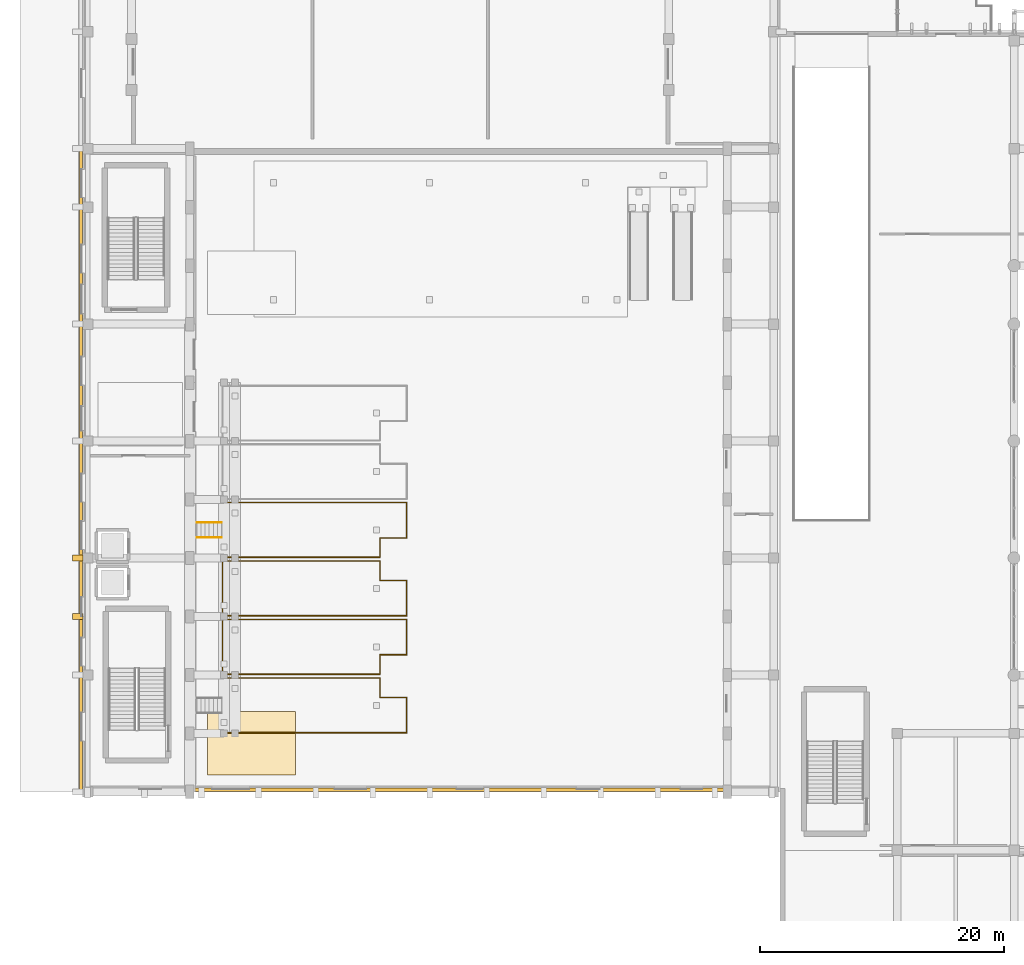
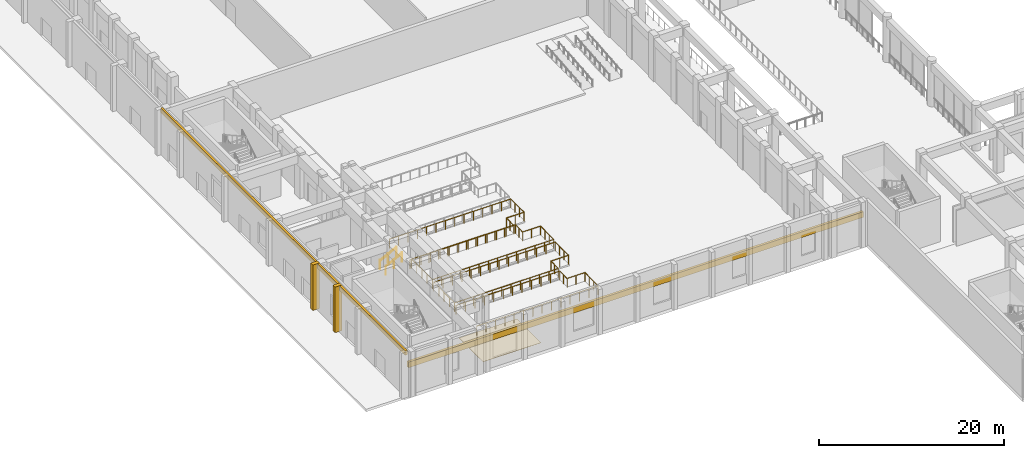
# One storey, part 61 of 87: 8 railings, 5 coverings.
"""IFC4 building model written with IfcOpenShell, lengths in metres."""

from ifc_helpers import new_model, si_unit, direction, frame, origin, origin_2d, place, context, subcontext, project, spatial, polyline, rectangle, circle, outline, extrude, material, layer, layer_set, type_object, element, save


model = new_model("IFC4")

# Units and contexts
model_context = context("Model", 3, precision=1e-05, world=origin(), true_north=direction((0.0, 1.0)))
body_context = subcontext(model_context, "Body", "Model", "MODEL_VIEW")
ifc_project = project(units=[si_unit("LENGTHUNIT", "METRE"), si_unit("AREAUNIT", "SQUARE_METRE"), si_unit("VOLUMEUNIT", "CUBIC_METRE"), si_unit("PLANEANGLEUNIT", "RADIAN"), si_unit("MASSUNIT", "GRAM", prefix="KILO")], contexts=[model_context])

# Site, building, storey
site_placement = place(None, origin())
site = spatial("IfcSite", under=ifc_project, at=site_placement, CompositionType="ELEMENT")
building_placement = place(site_placement, origin())
building = spatial("IfcBuilding", under=site, at=building_placement, Name="Nakhvara Creek Congress Hotel", CompositionType="ELEMENT")
storey_placement = place(building_placement, origin())
storey = spatial("IfcBuildingStorey", under=building, at=storey_placement, Name="L00", CompositionType="ELEMENT", Elevation=0.0)

# Coverings
ifc_material_1 = material(Name="Honed pale Omani limestone architectural cladding", Category="masonry")
ifc_layer_1 = layer(ifc_material_1, 0.239990234375)
ifc_layer_set_1 = layer_set([ifc_layer_1], Name="Honed pale Omani limestone architectural cladding")
covering_type_1 = type_object("IfcCoveringType", Name="COV-ARCH-240", PredefinedType="CLADDING", material=ifc_layer_set_1)
covering_1_placement = place(storey_placement, frame((0.2099609375, 60.0, 5.419921875), z_axis=(0.0, 0.0, 1.0), x_axis=(0.0, 1.0, 0.0)))
element("IfcCovering", 1, at=covering_1_placement, inside=storey, type_object=covering_type_1, Name="Pale Limestone Spandrel Band CF04-0032", PredefinedType="CLADDING", context=body_context, shape_type="SweptSolid", body=[
    extrude(rectangle(XDim=52.800048828125, YDim=0.260009765625, at=origin_2d()), origin(), (0.0, 0.0, 1.0), 0.580078125),
])
covering_2_placement = place(storey_placement, frame((28.85009765625, 33.77001953125, 3.60009765625), z_axis=(0.0, 0.0, 1.0), x_axis=(1.0, 0.0, 0.0)))
element("IfcCovering", 2, at=covering_2_placement, inside=storey, type_object=covering_type_1, Name="Pale Limestone Spandrel Band CF04-0034", PredefinedType="CLADDING", context=body_context, shape_type="SweptSolid", body=[
    extrude(rectangle(XDim=56.699951171875, YDim=0.300048828125, at=origin_2d()), origin(), (0.0, 0.0, 1.0), 0.75),
])
ifc_layer_2 = layer(ifc_material_1, 0.449951171875)
ifc_layer_set_2 = layer_set([ifc_layer_2], Name="Honed pale Omani limestone architectural cladding")
covering_type_2 = type_object("IfcCoveringType", Name="COV-BUTT-850", PredefinedType="CLADDING", material=ifc_layer_set_2)
for number, where, z_axis, x_axis, name in (
    (3, (-0.06494140625, 48.0, 0.0), (0.0, 0.0, 1.0), (0.0, 1.0, 0.0), "Gothic Limestone Buttress Pier CF03-0400"),
    (4, (-0.06494140625, 52.800048828125, 0.0), (0.0, 0.0, 1.0), (0.0, 1.0, 0.0), "Gothic Limestone Buttress Pier CF03-0401"),
):
    element("IfcCovering", number, at=place(storey_placement, frame(where, z_axis=z_axis, x_axis=x_axis)), inside=storey, type_object=covering_type_2, Name=name, PredefinedType="CLADDING", context=body_context, shape_type="SweptSolid", body=[
        extrude(rectangle(XDim=0.47998046875, YDim=0.85009765625, at=origin_2d()), origin(), (0.0, 0.0, 1.0), 6.0),
    ])
ifc_material_2 = material(Name="Honed limestone and terrazzo acoustic floor finish", Category="masonry")
ifc_layer_3 = layer(ifc_material_2, 0.044921875)
ifc_layer_set_3 = layer_set([ifc_layer_3], Name="Honed limestone and terrazzo acoustic floor finish")
covering_type_3 = type_object("IfcCoveringType", Name="COV-FLR-TER", PredefinedType="FLOORING", material=ifc_layer_set_3)
covering_3_placement = place(storey_placement, origin())
element("IfcCovering", 5, at=covering_3_placement, inside=storey, type_object=covering_type_3, Name="Floor Finish L00-CH-01", PredefinedType="FLOORING", context=body_context, shape_type="SweptSolid", body=[
    extrude(outline(polyline([(10.60009765625, 35.0), (17.800048828125, 35.0), (17.800048828125, 40.199951171875), (10.60009765625, 40.199951171875), (10.60009765625, 35.0)])), origin(), (0.0, 0.0, 1.0), 0.030029296875),
])

# Railings
ifc_material_3 = material(Name="Bronze-anodised aluminium and laminated safety glass balustrade", Category="aluminium")
railing_type_1 = type_object("IfcRailingType", Name="RL-BALUS-1200", PredefinedType="BALUSTRADE", material=ifc_material_3)
railing_1_placement = place(storey_placement, frame((11.81005859375, 38.4599609375, 1.050048828125)))
element("IfcRailing", 6, at=railing_1_placement, inside=storey, type_object=railing_type_1, Name="Stand Tier Balustrade L00-01", PredefinedType="BALUSTRADE", context=body_context, shape_type="SweptSolid", body=[
    extrude(circle(Radius=0.02392578125, at=origin_2d()), frame((0.0146484375, 0.0, 1.17578125), z_axis=(1.0, 0.0, 0.0), x_axis=(0.0, 1.0, 0.0)), (0.0, 0.0, 1.0), 15.1005859375),
    extrude(circle(Radius=0.02392578125, at=origin_2d()), frame((15.1298828125, 0.0146484375, 1.17578125), z_axis=(0.0, 1.0, 0.0), x_axis=(-1.0, 0.0, 0.0)), (0.0, 0.0, 1.0), 2.850830078125),
    extrude(circle(Radius=0.02392578125, at=origin_2d()), frame((15.115234375, 2.880126953125, 1.17578125), z_axis=(-1.0, 0.0, 0.0), x_axis=(0.0, -1.0, 0.0)), (0.0, 0.0, 1.0), 2.170654296875),
    extrude(circle(Radius=0.02392578125, at=origin_2d()), frame((12.929931640625, 2.894775390625, 1.17578125), z_axis=(0.0, 1.0, 0.0), x_axis=(-1.0, 0.0, 0.0)), (0.0, 0.0, 1.0), 1.570556640625),
    extrude(circle(Radius=0.02392578125, at=origin_2d()), frame((12.915283203125, 4.47998046875, 1.17578125), z_axis=(-1.0, 0.0, 0.0), x_axis=(0.0, -1.0, 0.0)), (0.0, 0.0, 1.0), 12.900634765625),
    extrude(circle(Radius=0.02099609375, at=origin_2d()), origin(), (0.0, 0.0, 1.0), 1.1806640625),
    extrude(circle(Radius=0.02099609375, at=origin_2d()), frame((1.163818359375, 0.0, 0.0)), (0.0, 0.0, 1.0), 1.1806640625),
    extrude(circle(Radius=0.02099609375, at=origin_2d()), frame((2.32763671875, 0.0, 0.0)), (0.0, 0.0, 1.0), 1.1806640625),
    extrude(circle(Radius=0.02099609375, at=origin_2d()), frame((3.491455078125, 0.0, 0.0)), (0.0, 0.0, 1.0), 1.1806640625),
    extrude(circle(Radius=0.02099609375, at=origin_2d()), frame((4.6552734375, 0.0, 0.0)), (0.0, 0.0, 1.0), 1.1806640625),
    extrude(circle(Radius=0.02099609375, at=origin_2d()), frame((5.819091796875, 0.0, 0.0)), (0.0, 0.0, 1.0), 1.1806640625),
    extrude(circle(Radius=0.02099609375, at=origin_2d()), frame((6.98291015625, 0.0, 0.0)), (0.0, 0.0, 1.0), 1.1806640625),
    extrude(circle(Radius=0.02099609375, at=origin_2d()), frame((8.14697265625, 0.0, 0.0)), (0.0, 0.0, 1.0), 1.1806640625),
    extrude(circle(Radius=0.02099609375, at=origin_2d()), frame((9.310791015625, 0.0, 0.0)), (0.0, 0.0, 1.0), 1.1806640625),
    extrude(circle(Radius=0.02099609375, at=origin_2d()), frame((10.474609375, 0.0, 0.0)), (0.0, 0.0, 1.0), 1.1806640625),
    extrude(circle(Radius=0.02099609375, at=origin_2d()), frame((11.638427734375, 0.0, 0.0)), (0.0, 0.0, 1.0), 1.1806640625),
    extrude(circle(Radius=0.02099609375, at=origin_2d()), frame((12.80224609375, 0.0, 0.0)), (0.0, 0.0, 1.0), 1.1806640625),
    extrude(circle(Radius=0.02099609375, at=origin_2d()), frame((13.966064453125, 0.0, 0.0)), (0.0, 0.0, 1.0), 1.1806640625),
    extrude(circle(Radius=0.02099609375, at=origin_2d()), frame((15.1298828125, 0.0, 0.0)), (0.0, 0.0, 1.0), 1.1806640625),
    extrude(circle(Radius=0.02099609375, at=origin_2d()), frame((15.1298828125, 0.9599609375, 0.0)), (0.0, 0.0, 1.0), 1.1806640625),
    extrude(circle(Radius=0.02099609375, at=origin_2d()), frame((15.1298828125, 1.920166015625, 0.0)), (0.0, 0.0, 1.0), 1.1806640625),
    extrude(circle(Radius=0.02099609375, at=origin_2d()), frame((15.1298828125, 2.880126953125, 0.0)), (0.0, 0.0, 1.0), 1.1806640625),
    extrude(circle(Radius=0.02099609375, at=origin_2d()), frame((14.02978515625, 2.880126953125, 0.0)), (0.0, 0.0, 1.0), 1.1806640625),
    extrude(circle(Radius=0.02099609375, at=origin_2d()), frame((12.929931640625, 2.880126953125, 0.0)), (0.0, 0.0, 1.0), 1.1806640625),
    extrude(circle(Radius=0.02099609375, at=origin_2d()), frame((12.929931640625, 3.68017578125, 0.0)), (0.0, 0.0, 1.0), 1.1806640625),
    extrude(circle(Radius=0.02099609375, at=origin_2d()), frame((12.929931640625, 4.47998046875, 0.0)), (0.0, 0.0, 1.0), 1.1806640625),
    extrude(circle(Radius=0.02099609375, at=origin_2d()), frame((11.75439453125, 4.47998046875, 0.0)), (0.0, 0.0, 1.0), 1.1806640625),
    extrude(circle(Radius=0.02099609375, at=origin_2d()), frame((10.5791015625, 4.47998046875, 0.0)), (0.0, 0.0, 1.0), 1.1806640625),
    extrude(circle(Radius=0.02099609375, at=origin_2d()), frame((9.403564453125, 4.47998046875, 0.0)), (0.0, 0.0, 1.0), 1.1806640625),
    extrude(circle(Radius=0.02099609375, at=origin_2d()), frame((8.22802734375, 4.47998046875, 0.0)), (0.0, 0.0, 1.0), 1.1806640625),
    extrude(circle(Radius=0.02099609375, at=origin_2d()), frame((7.052734375, 4.47998046875, 0.0)), (0.0, 0.0, 1.0), 1.1806640625),
    extrude(circle(Radius=0.02099609375, at=origin_2d()), frame((5.877197265625, 4.47998046875, 0.0)), (0.0, 0.0, 1.0), 1.1806640625),
    extrude(circle(Radius=0.02099609375, at=origin_2d()), frame((4.701904296875, 4.47998046875, 0.0)), (0.0, 0.0, 1.0), 1.1806640625),
    extrude(circle(Radius=0.02099609375, at=origin_2d()), frame((3.5263671875, 4.47998046875, 0.0)), (0.0, 0.0, 1.0), 1.1806640625),
    extrude(circle(Radius=0.02099609375, at=origin_2d()), frame((2.350830078125, 4.47998046875, 0.0)), (0.0, 0.0, 1.0), 1.1806640625),
    extrude(circle(Radius=0.02099609375, at=origin_2d()), frame((1.175537109375, 4.47998046875, 0.0)), (0.0, 0.0, 1.0), 1.1806640625),
    extrude(circle(Radius=0.02099609375, at=origin_2d()), frame((0.0, 4.47998046875, 0.0)), (0.0, 0.0, 1.0), 1.1806640625),
])
railing_2_placement = place(storey_placement, frame((11.81005859375, 43.260009765625, 1.199951171875)))
element("IfcRailing", 7, at=railing_2_placement, inside=storey, type_object=railing_type_1, Name="Stand Tier Balustrade L00-02", PredefinedType="BALUSTRADE", context=body_context, shape_type="SweptSolid", body=[
    extrude(circle(Radius=0.02392578125, at=origin_2d()), frame((0.0146484375, 0.0, 1.17578125), z_axis=(1.0, 0.0, 0.0), x_axis=(0.0, 1.0, 0.0)), (0.0, 0.0, 1.0), 12.900634765625),
    extrude(circle(Radius=0.02392578125, at=origin_2d()), frame((12.929931640625, 0.0146484375, 1.17578125), z_axis=(0.0, 1.0, 0.0), x_axis=(-1.0, 0.0, 0.0)), (0.0, 0.0, 1.0), 1.57080078125),
    extrude(circle(Radius=0.02392578125, at=origin_2d()), frame((12.944580078125, 1.60009765625, 1.17578125), z_axis=(1.0, 0.0, 0.0), x_axis=(0.0, 1.0, 0.0)), (0.0, 0.0, 1.0), 2.170654296875),
    extrude(circle(Radius=0.02392578125, at=origin_2d()), frame((15.1298828125, 1.61474609375, 1.17578125), z_axis=(0.0, 1.0, 0.0), x_axis=(-1.0, 0.0, 0.0)), (0.0, 0.0, 1.0), 2.8505859375),
    extrude(circle(Radius=0.02392578125, at=origin_2d()), frame((15.115234375, 4.47998046875, 1.17578125), z_axis=(-1.0, 0.0, 0.0), x_axis=(0.0, -1.0, 0.0)), (0.0, 0.0, 1.0), 15.1005859375),
    extrude(circle(Radius=0.02392578125, at=origin_2d()), frame((0.0, 4.46533203125, 1.17578125), z_axis=(0.0, -1.0, 0.0), x_axis=(1.0, 0.0, 0.0)), (0.0, 0.0, 1.0), 4.45068359375),
    extrude(circle(Radius=0.02099609375, at=origin_2d()), origin(), (0.0, 0.0, 1.0), 1.1806640625),
    extrude(circle(Radius=0.02099609375, at=origin_2d()), frame((1.175537109375, 0.0, 0.0)), (0.0, 0.0, 1.0), 1.1806640625),
    extrude(circle(Radius=0.02099609375, at=origin_2d()), frame((2.350830078125, 0.0, 0.0)), (0.0, 0.0, 1.0), 1.1806640625),
    extrude(circle(Radius=0.02099609375, at=origin_2d()), frame((3.5263671875, 0.0, 0.0)), (0.0, 0.0, 1.0), 1.1806640625),
    extrude(circle(Radius=0.02099609375, at=origin_2d()), frame((4.701904296875, 0.0, 0.0)), (0.0, 0.0, 1.0), 1.1806640625),
    extrude(circle(Radius=0.02099609375, at=origin_2d()), frame((5.877197265625, 0.0, 0.0)), (0.0, 0.0, 1.0), 1.1806640625),
    extrude(circle(Radius=0.02099609375, at=origin_2d()), frame((7.052734375, 0.0, 0.0)), (0.0, 0.0, 1.0), 1.1806640625),
    extrude(circle(Radius=0.02099609375, at=origin_2d()), frame((8.22802734375, 0.0, 0.0)), (0.0, 0.0, 1.0), 1.1806640625),
    extrude(circle(Radius=0.02099609375, at=origin_2d()), frame((9.403564453125, 0.0, 0.0)), (0.0, 0.0, 1.0), 1.1806640625),
    extrude(circle(Radius=0.02099609375, at=origin_2d()), frame((10.5791015625, 0.0, 0.0)), (0.0, 0.0, 1.0), 1.1806640625),
    extrude(circle(Radius=0.02099609375, at=origin_2d()), frame((11.75439453125, 0.0, 0.0)), (0.0, 0.0, 1.0), 1.1806640625),
    extrude(circle(Radius=0.02099609375, at=origin_2d()), frame((12.929931640625, 0.0, 0.0)), (0.0, 0.0, 1.0), 1.1806640625),
    extrude(circle(Radius=0.02099609375, at=origin_2d()), frame((12.929931640625, 0.800048828125, 0.0)), (0.0, 0.0, 1.0), 1.1806640625),
    extrude(circle(Radius=0.02099609375, at=origin_2d()), frame((12.929931640625, 1.60009765625, 0.0)), (0.0, 0.0, 1.0), 1.1806640625),
    extrude(circle(Radius=0.02099609375, at=origin_2d()), frame((14.02978515625, 1.60009765625, 0.0)), (0.0, 0.0, 1.0), 1.1806640625),
    extrude(circle(Radius=0.02099609375, at=origin_2d()), frame((15.1298828125, 1.60009765625, 0.0)), (0.0, 0.0, 1.0), 1.1806640625),
    extrude(circle(Radius=0.02099609375, at=origin_2d()), frame((15.1298828125, 2.56005859375, 0.0)), (0.0, 0.0, 1.0), 1.1806640625),
    extrude(circle(Radius=0.02099609375, at=origin_2d()), frame((15.1298828125, 3.52001953125, 0.0)), (0.0, 0.0, 1.0), 1.1806640625),
    extrude(circle(Radius=0.02099609375, at=origin_2d()), frame((15.1298828125, 4.47998046875, 0.0)), (0.0, 0.0, 1.0), 1.1806640625),
    extrude(circle(Radius=0.02099609375, at=origin_2d()), frame((13.966064453125, 4.47998046875, 0.0)), (0.0, 0.0, 1.0), 1.1806640625),
    extrude(circle(Radius=0.02099609375, at=origin_2d()), frame((12.80224609375, 4.47998046875, 0.0)), (0.0, 0.0, 1.0), 1.1806640625),
    extrude(circle(Radius=0.02099609375, at=origin_2d()), frame((11.638427734375, 4.47998046875, 0.0)), (0.0, 0.0, 1.0), 1.1806640625),
    extrude(circle(Radius=0.02099609375, at=origin_2d()), frame((10.474609375, 4.47998046875, 0.0)), (0.0, 0.0, 1.0), 1.1806640625),
    extrude(circle(Radius=0.02099609375, at=origin_2d()), frame((9.310791015625, 4.47998046875, 0.0)), (0.0, 0.0, 1.0), 1.1806640625),
    extrude(circle(Radius=0.02099609375, at=origin_2d()), frame((8.14697265625, 4.47998046875, 0.0)), (0.0, 0.0, 1.0), 1.1806640625),
    extrude(circle(Radius=0.02099609375, at=origin_2d()), frame((6.98291015625, 4.47998046875, 0.0)), (0.0, 0.0, 1.0), 1.1806640625),
    extrude(circle(Radius=0.02099609375, at=origin_2d()), frame((5.819091796875, 4.47998046875, 0.0)), (0.0, 0.0, 1.0), 1.1806640625),
    extrude(circle(Radius=0.02099609375, at=origin_2d()), frame((4.6552734375, 4.47998046875, 0.0)), (0.0, 0.0, 1.0), 1.1806640625),
    extrude(circle(Radius=0.02099609375, at=origin_2d()), frame((3.491455078125, 4.47998046875, 0.0)), (0.0, 0.0, 1.0), 1.1806640625),
    extrude(circle(Radius=0.02099609375, at=origin_2d()), frame((2.32763671875, 4.47998046875, 0.0)), (0.0, 0.0, 1.0), 1.1806640625),
    extrude(circle(Radius=0.02099609375, at=origin_2d()), frame((1.163818359375, 4.47998046875, 0.0)), (0.0, 0.0, 1.0), 1.1806640625),
    extrude(circle(Radius=0.02099609375, at=origin_2d()), frame((0.0, 4.47998046875, 0.0)), (0.0, 0.0, 1.0), 1.1806640625),
    extrude(circle(Radius=0.02099609375, at=origin_2d()), frame((0.0, 3.35986328125, 0.0)), (0.0, 0.0, 1.0), 1.1806640625),
    extrude(circle(Radius=0.02099609375, at=origin_2d()), frame((0.0, 2.239990234375, 0.0)), (0.0, 0.0, 1.0), 1.1806640625),
    extrude(circle(Radius=0.02099609375, at=origin_2d()), frame((0.0, 1.1201171875, 0.0)), (0.0, 0.0, 1.0), 1.1806640625),
])
railing_3_placement = place(storey_placement, frame((11.81005859375, 48.06005859375, 1.35009765625)))
element("IfcRailing", 8, at=railing_3_placement, inside=storey, type_object=railing_type_1, Name="Stand Tier Balustrade L00-03", PredefinedType="BALUSTRADE", context=body_context, shape_type="SweptSolid", body=[
    extrude(circle(Radius=0.02392578125, at=origin_2d()), frame((0.0146484375, 0.0, 1.17578125), z_axis=(1.0, 0.0, 0.0), x_axis=(0.0, 1.0, 0.0)), (0.0, 0.0, 1.0), 15.1005859375),
    extrude(circle(Radius=0.02392578125, at=origin_2d()), frame((15.1298828125, 0.0146484375, 1.17578125), z_axis=(0.0, 1.0, 0.0), x_axis=(-1.0, 0.0, 0.0)), (0.0, 0.0, 1.0), 2.8505859375),
    extrude(circle(Radius=0.02392578125, at=origin_2d()), frame((15.115234375, 2.8798828125, 1.17578125), z_axis=(-1.0, 0.0, 0.0), x_axis=(0.0, -1.0, 0.0)), (0.0, 0.0, 1.0), 2.170654296875),
    extrude(circle(Radius=0.02392578125, at=origin_2d()), frame((12.929931640625, 2.89453125, 1.17578125), z_axis=(0.0, 1.0, 0.0), x_axis=(-1.0, 0.0, 0.0)), (0.0, 0.0, 1.0), 1.57080078125),
    extrude(circle(Radius=0.02392578125, at=origin_2d()), frame((12.915283203125, 4.47998046875, 1.17578125), z_axis=(-1.0, 0.0, 0.0), x_axis=(0.0, -1.0, 0.0)), (0.0, 0.0, 1.0), 12.900634765625),
    extrude(circle(Radius=0.02392578125, at=origin_2d()), frame((0.0, 4.46533203125, 1.17578125), z_axis=(0.0, -1.0, 0.0), x_axis=(1.0, 0.0, 0.0)), (0.0, 0.0, 1.0), 4.45068359375),
    extrude(circle(Radius=0.02099609375, at=origin_2d()), origin(), (0.0, 0.0, 1.0), 1.1806640625),
    extrude(circle(Radius=0.02099609375, at=origin_2d()), frame((1.163818359375, 0.0, 0.0)), (0.0, 0.0, 1.0), 1.1806640625),
    extrude(circle(Radius=0.02099609375, at=origin_2d()), frame((2.32763671875, 0.0, 0.0)), (0.0, 0.0, 1.0), 1.1806640625),
    extrude(circle(Radius=0.02099609375, at=origin_2d()), frame((3.491455078125, 0.0, 0.0)), (0.0, 0.0, 1.0), 1.1806640625),
    extrude(circle(Radius=0.02099609375, at=origin_2d()), frame((4.6552734375, 0.0, 0.0)), (0.0, 0.0, 1.0), 1.1806640625),
    extrude(circle(Radius=0.02099609375, at=origin_2d()), frame((5.819091796875, 0.0, 0.0)), (0.0, 0.0, 1.0), 1.1806640625),
    extrude(circle(Radius=0.02099609375, at=origin_2d()), frame((6.98291015625, 0.0, 0.0)), (0.0, 0.0, 1.0), 1.1806640625),
    extrude(circle(Radius=0.02099609375, at=origin_2d()), frame((8.14697265625, 0.0, 0.0)), (0.0, 0.0, 1.0), 1.1806640625),
    extrude(circle(Radius=0.02099609375, at=origin_2d()), frame((9.310791015625, 0.0, 0.0)), (0.0, 0.0, 1.0), 1.1806640625),
    extrude(circle(Radius=0.02099609375, at=origin_2d()), frame((10.474609375, 0.0, 0.0)), (0.0, 0.0, 1.0), 1.1806640625),
    extrude(circle(Radius=0.02099609375, at=origin_2d()), frame((11.638427734375, 0.0, 0.0)), (0.0, 0.0, 1.0), 1.1806640625),
    extrude(circle(Radius=0.02099609375, at=origin_2d()), frame((12.80224609375, 0.0, 0.0)), (0.0, 0.0, 1.0), 1.1806640625),
    extrude(circle(Radius=0.02099609375, at=origin_2d()), frame((13.966064453125, 0.0, 0.0)), (0.0, 0.0, 1.0), 1.1806640625),
    extrude(circle(Radius=0.02099609375, at=origin_2d()), frame((15.1298828125, 0.0, 0.0)), (0.0, 0.0, 1.0), 1.1806640625),
    extrude(circle(Radius=0.02099609375, at=origin_2d()), frame((15.1298828125, 0.9599609375, 0.0)), (0.0, 0.0, 1.0), 1.1806640625),
    extrude(circle(Radius=0.02099609375, at=origin_2d()), frame((15.1298828125, 1.919921875, 0.0)), (0.0, 0.0, 1.0), 1.1806640625),
    extrude(circle(Radius=0.02099609375, at=origin_2d()), frame((15.1298828125, 2.8798828125, 0.0)), (0.0, 0.0, 1.0), 1.1806640625),
    extrude(circle(Radius=0.02099609375, at=origin_2d()), frame((14.02978515625, 2.8798828125, 0.0)), (0.0, 0.0, 1.0), 1.1806640625),
    extrude(circle(Radius=0.02099609375, at=origin_2d()), frame((12.929931640625, 2.8798828125, 0.0)), (0.0, 0.0, 1.0), 1.1806640625),
    extrude(circle(Radius=0.02099609375, at=origin_2d()), frame((12.929931640625, 3.679931640625, 0.0)), (0.0, 0.0, 1.0), 1.1806640625),
    extrude(circle(Radius=0.02099609375, at=origin_2d()), frame((12.929931640625, 4.47998046875, 0.0)), (0.0, 0.0, 1.0), 1.1806640625),
    extrude(circle(Radius=0.02099609375, at=origin_2d()), frame((11.75439453125, 4.47998046875, 0.0)), (0.0, 0.0, 1.0), 1.1806640625),
    extrude(circle(Radius=0.02099609375, at=origin_2d()), frame((10.5791015625, 4.47998046875, 0.0)), (0.0, 0.0, 1.0), 1.1806640625),
    extrude(circle(Radius=0.02099609375, at=origin_2d()), frame((9.403564453125, 4.47998046875, 0.0)), (0.0, 0.0, 1.0), 1.1806640625),
    extrude(circle(Radius=0.02099609375, at=origin_2d()), frame((8.22802734375, 4.47998046875, 0.0)), (0.0, 0.0, 1.0), 1.1806640625),
    extrude(circle(Radius=0.02099609375, at=origin_2d()), frame((7.052734375, 4.47998046875, 0.0)), (0.0, 0.0, 1.0), 1.1806640625),
    extrude(circle(Radius=0.02099609375, at=origin_2d()), frame((5.877197265625, 4.47998046875, 0.0)), (0.0, 0.0, 1.0), 1.1806640625),
    extrude(circle(Radius=0.02099609375, at=origin_2d()), frame((4.701904296875, 4.47998046875, 0.0)), (0.0, 0.0, 1.0), 1.1806640625),
    extrude(circle(Radius=0.02099609375, at=origin_2d()), frame((3.5263671875, 4.47998046875, 0.0)), (0.0, 0.0, 1.0), 1.1806640625),
    extrude(circle(Radius=0.02099609375, at=origin_2d()), frame((2.350830078125, 4.47998046875, 0.0)), (0.0, 0.0, 1.0), 1.1806640625),
    extrude(circle(Radius=0.02099609375, at=origin_2d()), frame((1.175537109375, 4.47998046875, 0.0)), (0.0, 0.0, 1.0), 1.1806640625),
    extrude(circle(Radius=0.02099609375, at=origin_2d()), frame((0.0, 4.47998046875, 0.0)), (0.0, 0.0, 1.0), 1.1806640625),
    extrude(circle(Radius=0.02099609375, at=origin_2d()), frame((0.0, 3.35986328125, 0.0)), (0.0, 0.0, 1.0), 1.1806640625),
    extrude(circle(Radius=0.02099609375, at=origin_2d()), frame((0.0, 2.239990234375, 0.0)), (0.0, 0.0, 1.0), 1.1806640625),
    extrude(circle(Radius=0.02099609375, at=origin_2d()), frame((0.0, 1.1201171875, 0.0)), (0.0, 0.0, 1.0), 1.1806640625),
])
railing_4_placement = place(storey_placement, frame((11.81005859375, 52.860107421875, 1.050048828125)))
element("IfcRailing", 9, at=railing_4_placement, inside=storey, type_object=railing_type_1, Name="Stand Tier Balustrade L00-04", PredefinedType="BALUSTRADE", context=body_context, shape_type="SweptSolid", body=[
    extrude(circle(Radius=0.02392578125, at=origin_2d()), frame((0.0146484375, 0.0, 1.17578125), z_axis=(1.0, 0.0, 0.0), x_axis=(0.0, 1.0, 0.0)), (0.0, 0.0, 1.0), 12.900634765625),
    extrude(circle(Radius=0.02392578125, at=origin_2d()), frame((12.929931640625, 0.0146484375, 1.17578125), z_axis=(0.0, 1.0, 0.0), x_axis=(-1.0, 0.0, 0.0)), (0.0, 0.0, 1.0), 1.570556640625),
    extrude(circle(Radius=0.02392578125, at=origin_2d()), frame((12.944580078125, 1.599853515625, 1.17578125), z_axis=(1.0, 0.0, 0.0), x_axis=(0.0, 1.0, 0.0)), (0.0, 0.0, 1.0), 2.170654296875),
    extrude(circle(Radius=0.02392578125, at=origin_2d()), frame((15.1298828125, 1.614501953125, 1.17578125), z_axis=(0.0, 1.0, 0.0), x_axis=(-1.0, 0.0, 0.0)), (0.0, 0.0, 1.0), 2.850830078125),
    extrude(circle(Radius=0.02392578125, at=origin_2d()), frame((15.115234375, 4.47998046875, 1.17578125), z_axis=(-1.0, 0.0, 0.0), x_axis=(0.0, -1.0, 0.0)), (0.0, 0.0, 1.0), 15.1005859375),
    extrude(circle(Radius=0.02099609375, at=origin_2d()), origin(), (0.0, 0.0, 1.0), 1.1806640625),
    extrude(circle(Radius=0.02099609375, at=origin_2d()), frame((1.175537109375, 0.0, 0.0)), (0.0, 0.0, 1.0), 1.1806640625),
    extrude(circle(Radius=0.02099609375, at=origin_2d()), frame((2.350830078125, 0.0, 0.0)), (0.0, 0.0, 1.0), 1.1806640625),
    extrude(circle(Radius=0.02099609375, at=origin_2d()), frame((3.5263671875, 0.0, 0.0)), (0.0, 0.0, 1.0), 1.1806640625),
    extrude(circle(Radius=0.02099609375, at=origin_2d()), frame((4.701904296875, 0.0, 0.0)), (0.0, 0.0, 1.0), 1.1806640625),
    extrude(circle(Radius=0.02099609375, at=origin_2d()), frame((5.877197265625, 0.0, 0.0)), (0.0, 0.0, 1.0), 1.1806640625),
    extrude(circle(Radius=0.02099609375, at=origin_2d()), frame((7.052734375, 0.0, 0.0)), (0.0, 0.0, 1.0), 1.1806640625),
    extrude(circle(Radius=0.02099609375, at=origin_2d()), frame((8.22802734375, 0.0, 0.0)), (0.0, 0.0, 1.0), 1.1806640625),
    extrude(circle(Radius=0.02099609375, at=origin_2d()), frame((9.403564453125, 0.0, 0.0)), (0.0, 0.0, 1.0), 1.1806640625),
    extrude(circle(Radius=0.02099609375, at=origin_2d()), frame((10.5791015625, 0.0, 0.0)), (0.0, 0.0, 1.0), 1.1806640625),
    extrude(circle(Radius=0.02099609375, at=origin_2d()), frame((11.75439453125, 0.0, 0.0)), (0.0, 0.0, 1.0), 1.1806640625),
    extrude(circle(Radius=0.02099609375, at=origin_2d()), frame((12.929931640625, 0.0, 0.0)), (0.0, 0.0, 1.0), 1.1806640625),
    extrude(circle(Radius=0.02099609375, at=origin_2d()), frame((12.929931640625, 0.7998046875, 0.0)), (0.0, 0.0, 1.0), 1.1806640625),
    extrude(circle(Radius=0.02099609375, at=origin_2d()), frame((12.929931640625, 1.599853515625, 0.0)), (0.0, 0.0, 1.0), 1.1806640625),
    extrude(circle(Radius=0.02099609375, at=origin_2d()), frame((14.02978515625, 1.599853515625, 0.0)), (0.0, 0.0, 1.0), 1.1806640625),
    extrude(circle(Radius=0.02099609375, at=origin_2d()), frame((15.1298828125, 1.599853515625, 0.0)), (0.0, 0.0, 1.0), 1.1806640625),
    extrude(circle(Radius=0.02099609375, at=origin_2d()), frame((15.1298828125, 2.559814453125, 0.0)), (0.0, 0.0, 1.0), 1.1806640625),
    extrude(circle(Radius=0.02099609375, at=origin_2d()), frame((15.1298828125, 3.52001953125, 0.0)), (0.0, 0.0, 1.0), 1.1806640625),
    extrude(circle(Radius=0.02099609375, at=origin_2d()), frame((15.1298828125, 4.47998046875, 0.0)), (0.0, 0.0, 1.0), 1.1806640625),
    extrude(circle(Radius=0.02099609375, at=origin_2d()), frame((13.966064453125, 4.47998046875, 0.0)), (0.0, 0.0, 1.0), 1.1806640625),
    extrude(circle(Radius=0.02099609375, at=origin_2d()), frame((12.80224609375, 4.47998046875, 0.0)), (0.0, 0.0, 1.0), 1.1806640625),
    extrude(circle(Radius=0.02099609375, at=origin_2d()), frame((11.638427734375, 4.47998046875, 0.0)), (0.0, 0.0, 1.0), 1.1806640625),
    extrude(circle(Radius=0.02099609375, at=origin_2d()), frame((10.474609375, 4.47998046875, 0.0)), (0.0, 0.0, 1.0), 1.1806640625),
    extrude(circle(Radius=0.02099609375, at=origin_2d()), frame((9.310791015625, 4.47998046875, 0.0)), (0.0, 0.0, 1.0), 1.1806640625),
    extrude(circle(Radius=0.02099609375, at=origin_2d()), frame((8.14697265625, 4.47998046875, 0.0)), (0.0, 0.0, 1.0), 1.1806640625),
    extrude(circle(Radius=0.02099609375, at=origin_2d()), frame((6.98291015625, 4.47998046875, 0.0)), (0.0, 0.0, 1.0), 1.1806640625),
    extrude(circle(Radius=0.02099609375, at=origin_2d()), frame((5.819091796875, 4.47998046875, 0.0)), (0.0, 0.0, 1.0), 1.1806640625),
    extrude(circle(Radius=0.02099609375, at=origin_2d()), frame((4.6552734375, 4.47998046875, 0.0)), (0.0, 0.0, 1.0), 1.1806640625),
    extrude(circle(Radius=0.02099609375, at=origin_2d()), frame((3.491455078125, 4.47998046875, 0.0)), (0.0, 0.0, 1.0), 1.1806640625),
    extrude(circle(Radius=0.02099609375, at=origin_2d()), frame((2.32763671875, 4.47998046875, 0.0)), (0.0, 0.0, 1.0), 1.1806640625),
    extrude(circle(Radius=0.02099609375, at=origin_2d()), frame((1.163818359375, 4.47998046875, 0.0)), (0.0, 0.0, 1.0), 1.1806640625),
    extrude(circle(Radius=0.02099609375, at=origin_2d()), frame((0.0, 4.47998046875, 0.0)), (0.0, 0.0, 1.0), 1.1806640625),
])
ifc_material_4 = material(Name="Brushed stainless steel 316L", Category="steel")
railing_type_2 = type_object("IfcRailingType", Name="RL-GUARD-1200", PredefinedType="GUARDRAIL", material=ifc_material_4)
for number, where, name in (
    (10, (9.7099609375, 54.47998046875, 0.0), "Vomitory Guard SV02-S"),
    (11, (9.7099609375, 55.719970703125, 0.0), "Vomitory Guard SV02-N"),
):
    element("IfcRailing", number, at=place(storey_placement, frame(where)), inside=storey, type_object=railing_type_2, Name=name, PredefinedType="GUARDRAIL", context=body_context, shape_type="SweptSolid", body=[
        extrude(circle(Radius=0.02392578125, at=origin_2d()), frame((0.01318359375, 0.0, 1.1826171875), z_axis=(0.889130716513, 0.0, 0.457653328354), x_axis=(0.0, 1.0, 0.0)), (0.0, 0.0, 1.0), 2.26513671875),
        extrude(circle(Radius=0.02099609375, at=origin_2d()), origin(), (0.0, 0.0, 1.0), 1.1806640625),
        extrude(circle(Radius=0.02099609375, at=origin_2d()), frame((1.02001953125, 0.0, 0.52490234375)), (0.0, 0.0, 1.0), 1.1806640625),
        extrude(circle(Radius=0.02099609375, at=origin_2d()), frame((2.0400390625, 0.0, 1.050048828125)), (0.0, 0.0, 1.0), 1.1806640625),
    ])
railing_type_3 = type_object("IfcRailingType", Name="RL-HAND-900", PredefinedType="HANDRAIL", material=ifc_material_4)
for number, where, name in (
    (12, (9.7099609375, 54.47998046875, 0.14990234375), "Vomitory Handrail SV02-S"),
    (13, (9.7099609375, 55.719970703125, 0.14990234375), "Vomitory Handrail SV02-N"),
):
    element("IfcRailing", number, at=place(storey_placement, frame(where)), inside=storey, type_object=railing_type_3, Name=name, PredefinedType="HANDRAIL", context=body_context, shape_type="SweptSolid", body=[
        extrude(circle(Radius=0.02392578125, at=origin_2d()), frame((0.012939453125, 0.0, 0.882568359375), z_axis=(0.887178554642, 0.0, 0.461426280334), x_axis=(0.0, 1.0, 0.0)), (0.0, 0.0, 1.0), 2.27001953125),
        extrude(circle(Radius=0.02099609375, at=origin_2d()), origin(), (0.0, 0.0, 1.0), 0.880615234375),
        extrude(circle(Radius=0.02099609375, at=origin_2d()), frame((1.02001953125, 0.0, 0.530517578125)), (0.0, 0.0, 1.0), 0.880615234375),
        extrude(circle(Radius=0.02099609375, at=origin_2d()), frame((2.0400390625, 0.0, 1.06103515625)), (0.0, 0.0, 1.0), 0.880615234375),
    ])

save(model, "model.ifc")
